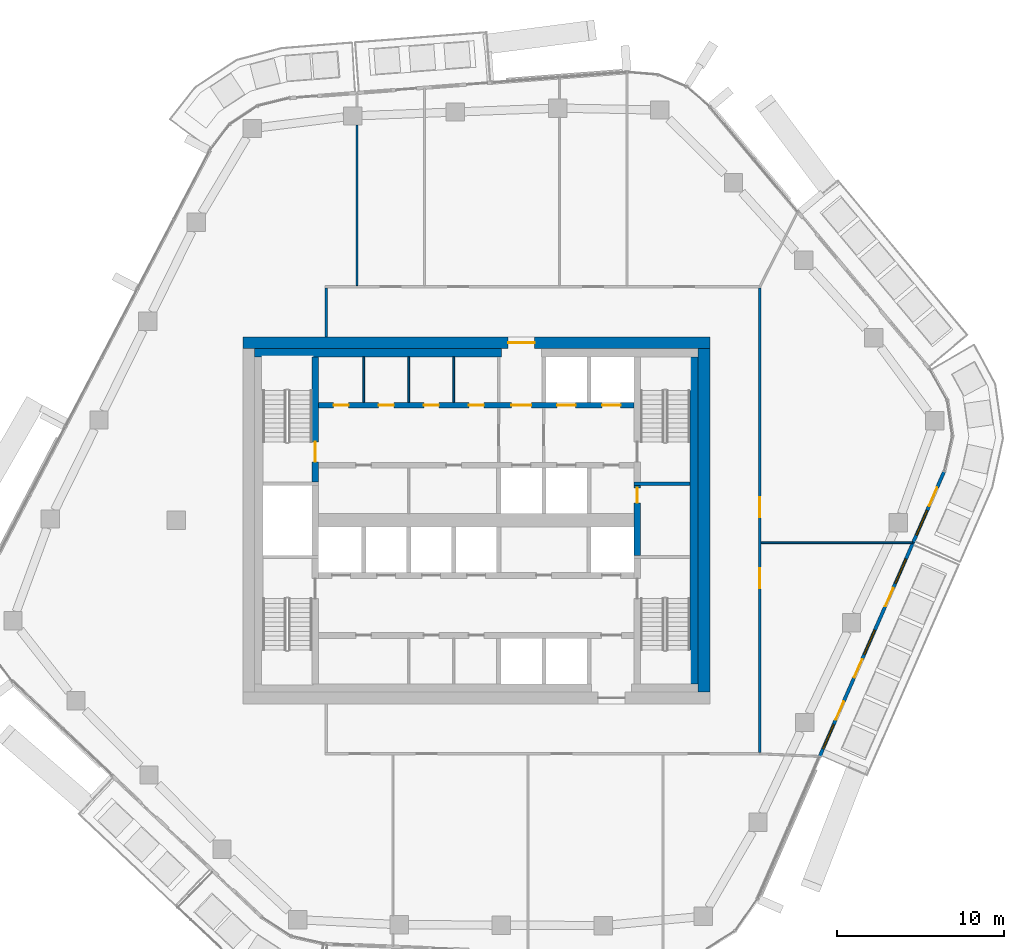
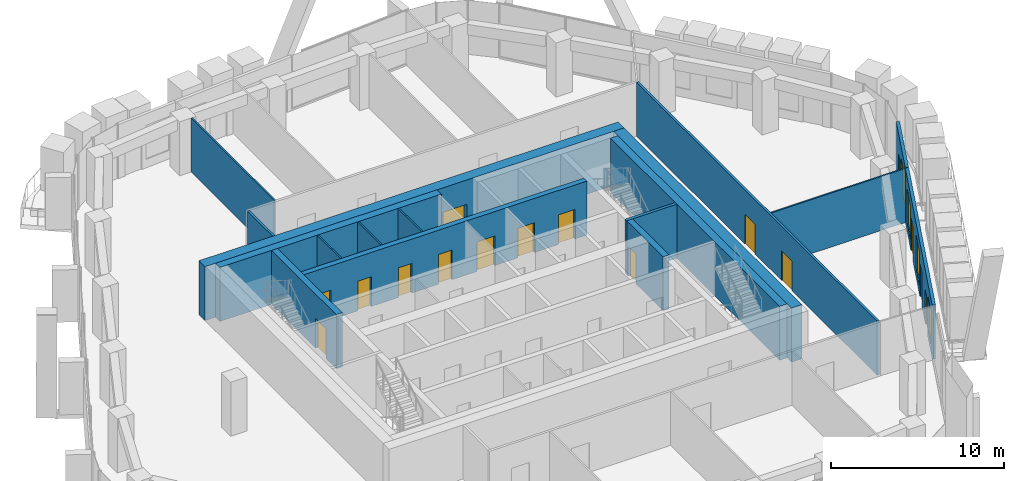
# One storey, part 12 of 20: 17 walls, 16 doors, 4 windows, 20 openings.
"""IFC4 building model written with IfcOpenShell, lengths in metres."""

from ifc_helpers import new_model, si_unit, direction, frame, frame_2d, origin, place, context, subcontext, project, spatial, rectangle, extrude, material, layer, layer_set, type_object, element, fill, save


model = new_model("IFC4")

# Units and contexts
model_context = context("Model", 3, precision=1e-05, world=origin(), true_north=direction((0.0, 1.0)))
body_context = subcontext(model_context, "Body", "Model", "MODEL_VIEW")
ifc_project = project(units=[si_unit("LENGTHUNIT", "METRE"), si_unit("AREAUNIT", "SQUARE_METRE"), si_unit("VOLUMEUNIT", "CUBIC_METRE"), si_unit("PLANEANGLEUNIT", "RADIAN"), si_unit("MASSUNIT", "GRAM", prefix="KILO")], contexts=[model_context])

# Site, building, storey
site_placement = place(None, origin())
site = spatial("IfcSite", under=ifc_project, at=site_placement, CompositionType="ELEMENT")
building_placement = place(site_placement, origin())
building = spatial("IfcBuilding", under=site, at=building_placement, Name="Dongbaek Canopy Tower", CompositionType="ELEMENT")
storey_placement = place(building_placement, frame((0.0, 0.0, 241.199951171875)))
storey = spatial("IfcBuildingStorey", under=building, at=storey_placement, Name="L50", CompositionType="ELEMENT", Elevation=241.199951171875)

# Wall, openings, doors
ifc_material_1 = material(Name="Concrete C60/75", Category="concrete")
ifc_layer_1 = layer(ifc_material_1, 0.35009765625)
ifc_layer_set_1 = layer_set([ifc_layer_1], Name="Core lobby wall 350 Concrete C60/75")
wall_type_1 = type_object("IfcWallType", Name="Core lobby wall 350 Concrete C60/75", PredefinedType="SHEAR", material=ifc_layer_set_1)
wall_1_placement = place(storey_placement, frame((-9.449951171875, 6.89990234375, 0.0), z_axis=(0.0, 0.0, 1.0), x_axis=(1.0, 0.0, 0.0)))
wall_1 = element("IfcWall", 1, at=wall_1_placement, inside=storey, type_object=wall_type_1, Name="Core wall", PredefinedType="SHEAR", context=body_context, shape_type="SweptSolid", body=[
    extrude(rectangle(XDim=18.89990234375, YDim=0.35009765625, at=frame_2d((9.449951171875, 0.0))), origin(), (0.0, 0.0, 1.0), 3.820068359375),
])
opening_1_placement = place(wall_1_placement, frame((11.550048828125, 0.0, 0.0)))
opening_1 = element("IfcOpeningElement", 2, at=opening_1_placement, cuts=wall_1, Name="Opening L50-D013", PredefinedType="OPENING", context=body_context, shape_type="SweptSolid", body=[
    extrude(rectangle(XDim=1.199951171875, YDim=2.10009765625, at=frame_2d((0.60009765625, 1.050048828125))), frame((0.0, 0.18505859375, 0.0), z_axis=(0.0, -1.0, 0.0), x_axis=(1.0, 0.0, 0.0)), (0.0, 0.0, 1.0), 0.3701171875),
])
opening_2_placement = place(wall_1_placement, frame((14.300048828125, 0.0, 0.0)))
opening_2 = element("IfcOpeningElement", 3, at=opening_2_placement, cuts=wall_1, Name="Opening L50-D014", PredefinedType="OPENING", context=body_context, shape_type="SweptSolid", body=[
    extrude(rectangle(XDim=1.10009765625, YDim=2.10009765625, at=frame_2d((0.550048828125, 1.050048828125))), frame((0.0, 0.18505859375, 0.0), z_axis=(0.0, -1.0, 0.0), x_axis=(1.0, 0.0, 0.0)), (0.0, 0.0, 1.0), 0.3701171875),
])
opening_3_placement = place(wall_1_placement, frame((17.0, 0.0, 0.0)))
opening_3 = element("IfcOpeningElement", 4, at=opening_3_placement, cuts=wall_1, Name="Opening L50-D015", PredefinedType="OPENING", context=body_context, shape_type="SweptSolid", body=[
    extrude(rectangle(XDim=1.10009765625, YDim=2.10009765625, at=frame_2d((0.550048828125, 1.050048828125))), frame((0.0, 0.18505859375, 0.0), z_axis=(0.0, -1.0, 0.0), x_axis=(1.0, 0.0, 0.0)), (0.0, 0.0, 1.0), 0.3701171875),
])
opening_4_placement = place(wall_1_placement, frame((0.89990234375, 0.0, 0.0)))
opening_4 = element("IfcOpeningElement", 5, at=opening_4_placement, cuts=wall_1, Name="Opening L50-D026", PredefinedType="OPENING", context=body_context, shape_type="SweptSolid", body=[
    extrude(rectangle(XDim=0.89990234375, YDim=2.10009765625, at=frame_2d((0.449951171875, 1.050048828125))), frame((0.0, 0.18505859375, 0.0), z_axis=(0.0, -1.0, 0.0), x_axis=(1.0, 0.0, 0.0)), (0.0, 0.0, 1.0), 0.3701171875),
])
opening_5_placement = place(wall_1_placement, frame((3.60009765625, 0.0, 0.0)))
opening_5 = element("IfcOpeningElement", 6, at=opening_5_placement, cuts=wall_1, Name="Opening L50-D027", PredefinedType="OPENING", context=body_context, shape_type="SweptSolid", body=[
    extrude(rectangle(XDim=0.89990234375, YDim=2.10009765625, at=frame_2d((0.449951171875, 1.050048828125))), frame((0.0, 0.18505859375, 0.0), z_axis=(0.0, -1.0, 0.0), x_axis=(1.0, 0.0, 0.0)), (0.0, 0.0, 1.0), 0.3701171875),
])
opening_6_placement = place(wall_1_placement, frame((6.300048828125, 0.0, 0.0)))
opening_6 = element("IfcOpeningElement", 7, at=opening_6_placement, cuts=wall_1, Name="Opening L50-D028", PredefinedType="OPENING", context=body_context, shape_type="SweptSolid", body=[
    extrude(rectangle(XDim=0.89990234375, YDim=2.10009765625, at=frame_2d((0.449951171875, 1.050048828125))), frame((0.0, 0.18505859375, 0.0), z_axis=(0.0, -1.0, 0.0), x_axis=(1.0, 0.0, 0.0)), (0.0, 0.0, 1.0), 0.3701171875),
])
opening_7_placement = place(wall_1_placement, frame((9.0, 0.0, 0.0)))
opening_7 = element("IfcOpeningElement", 8, at=opening_7_placement, cuts=wall_1, Name="Opening L50-D029", PredefinedType="OPENING", context=body_context, shape_type="SweptSolid", body=[
    extrude(rectangle(XDim=0.89990234375, YDim=2.10009765625, at=frame_2d((0.449951171875, 1.050048828125))), frame((0.0, 0.18505859375, 0.0), z_axis=(0.0, -1.0, 0.0), x_axis=(1.0, 0.0, 0.0)), (0.0, 0.0, 1.0), 0.3701171875),
])
ifc_material_2 = material(Name="Steel", Category="steel")
door_type_1 = type_object("IfcDoorType", Name="Core room door 900 x 2100", OperationType="SINGLE_SWING_LEFT", PredefinedType="DOOR", material=ifc_material_2)
door_1_placement = place(opening_4_placement, origin())
door_1 = element("IfcDoor", 9, at=door_1_placement, inside=storey, type_object=door_type_1, Name="Door L50-D026", OperationType="SINGLE_SWING_RIGHT", OverallHeight=2.10009765625, OverallWidth=0.89990234375, PredefinedType="DOOR", context=body_context, shape_type="SweptSolid", body=[
    extrude(rectangle(XDim=0.89990234375, YDim=2.10009765625, at=frame_2d((0.449951171875, 1.050048828125))), frame((0.0, 0.02490234375, 0.0), z_axis=(0.0, -1.0, 0.0), x_axis=(1.0, 0.0, 0.0)), (0.0, 0.0, 1.0), 0.050048828125),
])
fill(opening_4, door_1)
door_2_placement = place(opening_5_placement, origin())
door_2 = element("IfcDoor", 10, at=door_2_placement, inside=storey, type_object=door_type_1, Name="Door L50-D027", OperationType="SINGLE_SWING_LEFT", OverallHeight=2.10009765625, OverallWidth=0.89990234375, PredefinedType="DOOR", context=body_context, shape_type="SweptSolid", body=[
    extrude(rectangle(XDim=0.89990234375, YDim=2.10009765625, at=frame_2d((0.449951171875, 1.050048828125))), frame((0.0, 0.02490234375, 0.0), z_axis=(0.0, -1.0, 0.0), x_axis=(1.0, 0.0, 0.0)), (0.0, 0.0, 1.0), 0.050048828125),
])
fill(opening_5, door_2)
door_3_placement = place(opening_6_placement, origin())
door_3 = element("IfcDoor", 11, at=door_3_placement, inside=storey, type_object=door_type_1, Name="Door L50-D028", OperationType="SINGLE_SWING_RIGHT", OverallHeight=2.10009765625, OverallWidth=0.89990234375, PredefinedType="DOOR", context=body_context, shape_type="SweptSolid", body=[
    extrude(rectangle(XDim=0.89990234375, YDim=2.10009765625, at=frame_2d((0.449951171875, 1.050048828125))), frame((0.0, 0.02490234375, 0.0), z_axis=(0.0, -1.0, 0.0), x_axis=(1.0, 0.0, 0.0)), (0.0, 0.0, 1.0), 0.050048828125),
])
fill(opening_6, door_3)
door_4_placement = place(opening_7_placement, origin())
door_4 = element("IfcDoor", 12, at=door_4_placement, inside=storey, type_object=door_type_1, Name="Door L50-D029", OperationType="SINGLE_SWING_LEFT", OverallHeight=2.10009765625, OverallWidth=0.89990234375, PredefinedType="DOOR", context=body_context, shape_type="SweptSolid", body=[
    extrude(rectangle(XDim=0.89990234375, YDim=2.10009765625, at=frame_2d((0.449951171875, 1.050048828125))), frame((0.0, 0.02490234375, 0.0), z_axis=(0.0, -1.0, 0.0), x_axis=(1.0, 0.0, 0.0)), (0.0, 0.0, 1.0), 0.050048828125),
])
fill(opening_7, door_4)
ifc_material_3 = material(Name="Steel", Category="steel")
door_type_2 = type_object("IfcDoorType", Name="Fire lobby door 1200 x 2100", OperationType="SINGLE_SWING_LEFT", PredefinedType="DOOR", material=ifc_material_3)
door_5_placement = place(opening_1_placement, origin())
door_5 = element("IfcDoor", 13, at=door_5_placement, inside=storey, type_object=door_type_2, Name="Door L50-D013", OperationType="SINGLE_SWING_LEFT", OverallHeight=2.10009765625, OverallWidth=1.199951171875, PredefinedType="DOOR", context=body_context, shape_type="SweptSolid", body=[
    extrude(rectangle(XDim=1.199951171875, YDim=2.10009765625, at=frame_2d((0.60009765625, 1.050048828125))), frame((0.0, 0.02490234375, 0.0), z_axis=(0.0, -1.0, 0.0), x_axis=(1.0, 0.0, 0.0)), (0.0, 0.0, 1.0), 0.050048828125),
])
fill(opening_1, door_5)
ifc_material_4 = material(Name="Stainless steel", Category="steel")
door_type_3 = type_object("IfcDoorType", Name="Lift landing door 1100 x 2100", OperationType="DOUBLE_DOOR_SLIDING", PredefinedType="DOOR", material=ifc_material_4)
door_6_placement = place(opening_2_placement, origin())
door_6 = element("IfcDoor", 14, at=door_6_placement, inside=storey, type_object=door_type_3, Name="Landing door FF1", OperationType="DOUBLE_DOOR_SLIDING", OverallHeight=2.10009765625, OverallWidth=1.10009765625, PredefinedType="DOOR", context=body_context, shape_type="SweptSolid", body=[
    extrude(rectangle(XDim=1.10009765625, YDim=2.10009765625, at=frame_2d((0.550048828125, 1.050048828125))), frame((0.0, 0.02490234375, 0.0), z_axis=(0.0, -1.0, 0.0), x_axis=(1.0, 0.0, 0.0)), (0.0, 0.0, 1.0), 0.050048828125),
])
fill(opening_2, door_6)
door_7_placement = place(opening_3_placement, origin())
door_7 = element("IfcDoor", 15, at=door_7_placement, inside=storey, type_object=door_type_3, Name="Landing door FF2", OperationType="DOUBLE_DOOR_SLIDING", OverallHeight=2.10009765625, OverallWidth=1.10009765625, PredefinedType="DOOR", context=body_context, shape_type="SweptSolid", body=[
    extrude(rectangle(XDim=1.10009765625, YDim=2.10009765625, at=frame_2d((0.550048828125, 1.050048828125))), frame((0.0, 0.02490234375, 0.0), z_axis=(0.0, -1.0, 0.0), x_axis=(1.0, 0.0, 0.0)), (0.0, 0.0, 1.0), 0.050048828125),
])
fill(opening_3, door_7)

# Wall, opening, door
ifc_material_5 = material(Name="Concrete C70/85", Category="concrete")
ifc_layer_2 = layer(ifc_material_5, 0.699951171875)
ifc_layer_set_2 = layer_set([ifc_layer_2], Name="Core outer wall 700 Concrete C70/85")
wall_type_2 = type_object("IfcWallType", Name="Core outer wall 700 Concrete C70/85", PredefinedType="SHEAR", material=ifc_layer_set_2)
wall_2_placement = place(storey_placement, frame((-14.0, 10.64990234375, 0.0), z_axis=(0.0, 0.0, 1.0), x_axis=(1.0, 0.0, 0.0)))
wall_2 = element("IfcWall", 16, at=wall_2_placement, inside=storey, type_object=wall_type_2, Name="Core wall", PredefinedType="SHEAR", context=body_context, shape_type="SweptSolid", body=[
    extrude(rectangle(XDim=28.0, YDim=0.699951171875, at=frame_2d((14.0, 0.0))), origin(), (0.0, 0.0, 1.0), 3.820068359375),
])
opening_8_placement = place(wall_2_placement, frame((15.89990234375, 0.0, 0.0)))
opening_8 = element("IfcOpeningElement", 17, at=opening_8_placement, cuts=wall_2, Name="Opening L50-D012", PredefinedType="OPENING", context=body_context, shape_type="SweptSolid", body=[
    extrude(rectangle(XDim=1.60009765625, YDim=2.10009765625, at=frame_2d((0.800048828125, 1.050048828125))), frame((0.0, 0.35986328125, 0.0), z_axis=(0.0, -1.0, 0.0), x_axis=(1.0, 0.0, 0.0)), (0.0, 0.0, 1.0), 0.719970703125),
])
ifc_material_6 = material(Name="Steel", Category="steel")
door_type_4 = type_object("IfcDoorType", Name="Core exit door 1600 x 2100", OperationType="DOUBLE_DOOR_SINGLE_SWING", PredefinedType="DOOR", material=ifc_material_6)
door_8_placement = place(opening_8_placement, origin())
door_8 = element("IfcDoor", 18, at=door_8_placement, inside=storey, type_object=door_type_4, Name="Core exit door", OperationType="DOUBLE_DOOR_SINGLE_SWING", OverallHeight=2.10009765625, OverallWidth=1.60009765625, PredefinedType="DOOR", context=body_context, shape_type="SweptSolid", body=[
    extrude(rectangle(XDim=1.60009765625, YDim=2.10009765625, at=frame_2d((0.800048828125, 1.050048828125))), frame((0.0, 0.02490234375, 0.0), z_axis=(0.0, -1.0, 0.0), x_axis=(1.0, 0.0, 0.0)), (0.0, 0.0, 1.0), 0.050048828125),
])
fill(opening_8, door_8)

# Walls
wall_3_placement = place(storey_placement, frame((13.64990234375, 10.300048828125, 0.0), z_axis=(0.0, 0.0, 1.0), x_axis=(0.0, -1.0, 0.0)))
element("IfcWall", 19, at=wall_3_placement, inside=storey, type_object=wall_type_2, Name="Core wall", PredefinedType="SHEAR", context=body_context, shape_type="SweptSolid", body=[
    extrude(rectangle(XDim=20.60009765625, YDim=0.699951171875, at=frame_2d((10.300048828125, 0.0))), origin(), (0.0, 0.0, 1.0), 3.820068359375),
])
ifc_material_7 = material(Name="Concrete C60/75", Category="concrete")
ifc_layer_3 = layer(ifc_material_7, 0.5)
ifc_layer_set_3 = layer_set([ifc_layer_3], Name="Core wall lining 500 Concrete C60/75")
wall_type_3 = type_object("IfcWallType", Name="Core wall lining 500 Concrete C60/75", PredefinedType="SHEAR", material=ifc_layer_set_3)
wall_4_placement = place(storey_placement, frame((-13.300048828125, 10.050048828125, 0.0), z_axis=(0.0, 0.0, 1.0), x_axis=(1.0, 0.0, 0.0)))
element("IfcWall", 20, at=wall_4_placement, inside=storey, type_object=wall_type_3, Name="Core wall lining", PredefinedType="SHEAR", context=body_context, shape_type="SweptSolid", body=[
    extrude(rectangle(XDim=14.800048828125, YDim=0.5, at=frame_2d((7.39990234375, 0.0))), origin(), (0.0, 0.0, 1.0), 3.820068359375),
])
wall_5_placement = place(storey_placement, frame((13.050048828125, 9.800048828125, 0.0), z_axis=(0.0, 0.0, 1.0), x_axis=(0.0, -1.0, 0.0)))
element("IfcWall", 21, at=wall_5_placement, inside=storey, type_object=wall_type_3, Name="Core wall lining", PredefinedType="SHEAR", context=body_context, shape_type="SweptSolid", body=[
    extrude(rectangle(XDim=19.60009765625, YDim=0.5, at=frame_2d((9.800048828125, 0.0))), origin(), (0.0, 0.0, 1.0), 3.820068359375),
])

# Wall, openings, doors
ifc_material_8 = material(Name="Gypsum board partition, steel stud, 2 x 15 mm fire board", Category="steel")
ifc_layer_4 = layer(ifc_material_8, 0.14990234375)
ifc_layer_set_4 = layer_set([ifc_layer_4], Name="Fire-rated partition 150 gypsum board")
wall_type_4 = type_object("IfcWallType", Name="Fire-rated partition 150 gypsum board", PredefinedType="PARTITIONING", material=ifc_layer_set_4)
wall_6_placement = place(storey_placement, frame((17.0, 13.925048828125, 0.0), z_axis=(0.0, 0.0, 1.0), x_axis=(0.0, -1.0, 0.0)))
wall_6 = element("IfcWall", 22, at=wall_6_placement, inside=storey, type_object=wall_type_4, Name="Corridor partition", PredefinedType="PARTITIONING", context=body_context, shape_type="SweptSolid", body=[
    extrude(rectangle(XDim=27.85009765625, YDim=0.14990234375, at=frame_2d((13.925048828125, 0.0))), origin(), (0.0, 0.0, 1.0), 3.820068359375),
])
opening_9_placement = place(wall_6_placement, frame((16.8017578125, 0.0, 0.0)))
opening_9 = element("IfcOpeningElement", 23, at=opening_9_placement, cuts=wall_6, Name="Opening L50-D005", PredefinedType="OPENING", context=body_context, shape_type="SweptSolid", body=[
    extrude(rectangle(XDim=1.199951171875, YDim=2.10009765625, at=frame_2d((0.60009765625, 1.050048828125))), frame((0.0, 0.0849609375, 0.0), z_axis=(0.0, -1.0, 0.0), x_axis=(1.0, 0.0, 0.0)), (0.0, 0.0, 1.0), 0.169921875),
])
opening_10_placement = place(wall_6_placement, frame((12.53369140625, 0.0, 0.0)))
opening_10 = element("IfcOpeningElement", 24, at=opening_10_placement, cuts=wall_6, Name="Opening L50-D006", PredefinedType="OPENING", context=body_context, shape_type="SweptSolid", body=[
    extrude(rectangle(XDim=1.199951171875, YDim=2.10009765625, at=frame_2d((0.60009765625, 1.050048828125))), frame((0.0, 0.0849609375, 0.0), z_axis=(0.0, -1.0, 0.0), x_axis=(1.0, 0.0, 0.0)), (0.0, 0.0, 1.0), 0.169921875),
])
ifc_material_9 = material(Name="Timber veneered door leaf", Category="wood")
door_type_5 = type_object("IfcDoorType", Name="Room door 1200 x 2100", OperationType="SINGLE_SWING_LEFT", PredefinedType="DOOR", material=ifc_material_9)
door_9_placement = place(opening_9_placement, origin())
door_9 = element("IfcDoor", 25, at=door_9_placement, inside=storey, type_object=door_type_5, Name="Door L50-D005", OperationType="SINGLE_SWING_RIGHT", OverallHeight=2.10009765625, OverallWidth=1.199951171875, PredefinedType="DOOR", context=body_context, shape_type="SweptSolid", body=[
    extrude(rectangle(XDim=1.199951171875, YDim=2.10009765625, at=frame_2d((0.60009765625, 1.050048828125))), frame((0.0, 0.02490234375, 0.0), z_axis=(0.0, -1.0, 0.0), x_axis=(1.0, 0.0, 0.0)), (0.0, 0.0, 1.0), 0.050048828125),
])
fill(opening_9, door_9)
door_10_placement = place(opening_10_placement, origin())
door_10 = element("IfcDoor", 26, at=door_10_placement, inside=storey, type_object=door_type_5, Name="Door L50-D006", OperationType="SINGLE_SWING_LEFT", OverallHeight=2.10009765625, OverallWidth=1.199951171875, PredefinedType="DOOR", context=body_context, shape_type="SweptSolid", body=[
    extrude(rectangle(XDim=1.199951171875, YDim=2.10009765625, at=frame_2d((0.60009765625, 1.050048828125))), frame((0.0, 0.02490234375, 0.0), z_axis=(0.0, -1.0, 0.0), x_axis=(1.0, 0.0, 0.0)), (0.0, 0.0, 1.0), 0.050048828125),
])
fill(opening_10, door_10)

# Walls
wall_7_placement = place(storey_placement, frame((-9.0, 11.0, 0.0), z_axis=(0.0, 0.0, 1.0), x_axis=(0.0, 1.0, 0.0)))
element("IfcWall", 27, at=wall_7_placement, inside=storey, type_object=wall_type_4, Name="Corridor partition", PredefinedType="PARTITIONING", context=body_context, shape_type="SweptSolid", body=[
    extrude(rectangle(XDim=2.925048828125, YDim=0.14990234375, at=frame_2d((1.46240234375, 0.0))), origin(), (0.0, 0.0, 1.0), 3.820068359375),
])
ifc_material_10 = material(Name="Gypsum board partition, steel stud, 2 x 12.5 mm board", Category="steel")
ifc_layer_5 = layer(ifc_material_10, 0.10009765625)
ifc_layer_set_5 = layer_set([ifc_layer_5], Name="Partition 100 gypsum board")
wall_type_5 = type_object("IfcWallType", Name="Partition 100 gypsum board", PredefinedType="PARTITIONING", material=ifc_layer_set_5)
wall_8_placement = place(storey_placement, frame((17.074951171875, -1.341064453125, 0.0), z_axis=(0.0, 0.0, 1.0), x_axis=(1.0, 0.0, 0.0)))
element("IfcWall", 28, at=wall_8_placement, inside=storey, type_object=wall_type_5, Name="Partition", PredefinedType="PARTITIONING", context=body_context, shape_type="SweptSolid", body=[
    extrude(rectangle(XDim=9.090087890625, YDim=0.10009765625, at=frame_2d((4.544921875, 0.0))), origin(), (0.0, 0.0, 1.0), 3.820068359375),
])
wall_9_placement = place(storey_placement, frame((-7.153076171875, 14.074951171875, 0.0), z_axis=(0.0, 0.0, 1.0), x_axis=(0.0, 1.0, 0.0)))
element("IfcWall", 29, at=wall_9_placement, inside=storey, type_object=wall_type_5, Name="Partition", PredefinedType="PARTITIONING", context=body_context, shape_type="SweptSolid", body=[
    extrude(rectangle(XDim=9.6181640625, YDim=0.10009765625, at=frame_2d((4.80908203125, 0.0))), origin(), (0.0, 0.0, 1.0), 3.820068359375),
])
for number, where, z_axis, x_axis, name in (
    (30, (-1.35009765625, 7.074951171875, 0.0), (0.0, 0.0, 1.0), (0.0, 1.0, 0.0), "Core partition"),
    (31, (-4.050048828125, 7.074951171875, 0.0), (0.0, 0.0, 1.0), (0.0, 1.0, 0.0), "Core partition"),
    (32, (-6.75, 7.074951171875, 0.0), (0.0, 0.0, 1.0), (0.0, 1.0, 0.0), "Core partition"),
):
    element("IfcWall", number, at=place(storey_placement, frame(where, z_axis=z_axis, x_axis=x_axis)), inside=storey, type_object=wall_type_5, Name=name, PredefinedType="PARTITIONING", context=body_context, shape_type="SweptSolid", body=[
        extrude(rectangle(XDim=2.72509765625, YDim=0.10009765625, at=frame_2d((1.362548828125, 0.0))), origin(), (0.0, 0.0, 1.0), 3.820068359375),
    ])
ifc_material_11 = material(Name="Concrete C60/75", Category="concrete")
ifc_layer_6 = layer(ifc_material_11, 0.199951171875)
ifc_layer_set_6 = layer_set([ifc_layer_6], Name="Riser wall 200 Concrete C60/75")
wall_type_6 = type_object("IfcWallType", Name="Riser wall 200 Concrete C60/75", PredefinedType="SHEAR", material=ifc_layer_set_6)
wall_10_placement = place(storey_placement, frame((9.449951171875, 2.199951171875, 0.0), z_axis=(0.0, 0.0, 1.0), x_axis=(1.0, 0.0, 0.0)))
element("IfcWall", 33, at=wall_10_placement, inside=storey, type_object=wall_type_6, Name="Riser wall", PredefinedType="SHEAR", context=body_context, shape_type="SweptSolid", body=[
    extrude(rectangle(XDim=3.35009765625, YDim=0.199951171875, at=frame_2d((1.675048828125, 0.0))), origin(), (0.0, 0.0, 1.0), 3.820068359375),
])

# Wall, opening, door
ifc_material_12 = material(Name="Concrete C60/75", Category="concrete")
ifc_layer_7 = layer(ifc_material_12, 0.39990234375)
ifc_layer_set_7 = layer_set([ifc_layer_7], Name="Stair wall 400 Concrete C60/75")
wall_type_7 = type_object("IfcWallType", Name="Stair wall 400 Concrete C60/75", PredefinedType="SHEAR", material=ifc_layer_set_7)
wall_11_placement = place(storey_placement, frame((9.64990234375, 2.10009765625, 0.0), z_axis=(0.0, 0.0, 1.0), x_axis=(0.0, -1.0, 0.0)))
wall_11 = element("IfcWall", 34, at=wall_11_placement, inside=storey, type_object=wall_type_7, Name="Stair wall", PredefinedType="SHEAR", context=body_context, shape_type="SweptSolid", body=[
    extrude(rectangle(XDim=4.2001953125, YDim=0.39990234375, at=frame_2d((2.10009765625, 0.0))), origin(), (0.0, 0.0, 1.0), 3.820068359375),
])
opening_11_placement = place(wall_11_placement, frame((0.14990234375, 0.0, 0.0)))
opening_11 = element("IfcOpeningElement", 35, at=opening_11_placement, cuts=wall_11, Name="Opening L50-D011", PredefinedType="OPENING", context=body_context, shape_type="SweptSolid", body=[
    extrude(rectangle(XDim=0.89990234375, YDim=2.10009765625, at=frame_2d((0.449951171875, 1.050048828125))), frame((0.0, 0.2099609375, 0.0), z_axis=(0.0, -1.0, 0.0), x_axis=(1.0, 0.0, 0.0)), (0.0, 0.0, 1.0), 0.419921875),
])
door_11_placement = place(opening_11_placement, origin())
door_11 = element("IfcDoor", 36, at=door_11_placement, inside=storey, type_object=door_type_1, Name="Door L50-D011", OperationType="SINGLE_SWING_RIGHT", OverallHeight=2.10009765625, OverallWidth=0.89990234375, PredefinedType="DOOR", context=body_context, shape_type="SweptSolid", body=[
    extrude(rectangle(XDim=0.89990234375, YDim=2.10009765625, at=frame_2d((0.449951171875, 1.050048828125))), frame((0.0, 0.02490234375, 0.0), z_axis=(0.0, -1.0, 0.0), x_axis=(1.0, 0.0, 0.0)), (0.0, 0.0, 1.0), 0.050048828125),
])
fill(opening_11, door_11)

wall_12_placement = place(storey_placement, frame((-9.64990234375, 2.300048828125, 0.0), z_axis=(0.0, 0.0, 1.0), x_axis=(0.0, 1.0, 0.0)))
wall_12 = element("IfcWall", 37, at=wall_12_placement, inside=storey, type_object=wall_type_7, Name="Stair wall", PredefinedType="SHEAR", context=body_context, shape_type="SweptSolid", body=[
    extrude(rectangle(XDim=7.5, YDim=0.39990234375, at=frame_2d((3.75, 0.0))), origin(), (0.0, 0.0, 1.0), 3.820068359375),
])
opening_12_placement = place(wall_12_placement, frame((1.199951171875, 0.0, 0.0)))
opening_12 = element("IfcOpeningElement", 38, at=opening_12_placement, cuts=wall_12, Name="Opening L50-D037", PredefinedType="OPENING", context=body_context, shape_type="SweptSolid", body=[
    extrude(rectangle(XDim=1.199951171875, YDim=2.10009765625, at=frame_2d((0.60009765625, 1.050048828125))), frame((0.0, 0.2099609375, 0.0), z_axis=(0.0, -1.0, 0.0), x_axis=(1.0, 0.0, 0.0)), (0.0, 0.0, 1.0), 0.419921875),
])
ifc_material_13 = material(Name="Steel", Category="steel")
door_type_6 = type_object("IfcDoorType", Name="Stair door 1200 x 2100", OperationType="SINGLE_SWING_LEFT", PredefinedType="DOOR", material=ifc_material_13)
door_12_placement = place(opening_12_placement, origin())
door_12 = element("IfcDoor", 39, at=door_12_placement, inside=storey, type_object=door_type_6, Name="Stair C door", OperationType="SINGLE_SWING_RIGHT", OverallHeight=2.10009765625, OverallWidth=1.199951171875, PredefinedType="DOOR", context=body_context, shape_type="SweptSolid", body=[
    extrude(rectangle(XDim=1.199951171875, YDim=2.10009765625, at=frame_2d((0.60009765625, 1.050048828125))), frame((0.0, 0.02490234375, 0.0), z_axis=(0.0, -1.0, 0.0), x_axis=(1.0, 0.0, 0.0)), (0.0, 0.0, 1.0), 0.050048828125),
])
fill(opening_12, door_12)

# Wall, openings, doors, windows
ifc_material_14 = material(Name="Aluminium window wall", Category="aluminium")
ifc_layer_8 = layer(ifc_material_14, 0.199951171875)
ifc_layer_set_8 = layer_set([ifc_layer_8], Name="Window wall 200")
wall_type_8 = type_object("IfcWallType", Name="Window wall 200", PredefinedType="SOLIDWALL", material=ifc_layer_set_8)
wall_13_placement = place(storey_placement, frame((20.588134765625, -14.15771484375, 0.0), z_axis=(0.0, 0.0, 1.0), x_axis=(0.400286749381, 0.916389937892, 0.0)))
wall_13 = element("IfcWall", 40, at=wall_13_placement, inside=storey, type_object=wall_type_8, Name="Window wall L50 5", PredefinedType="SOLIDWALL", context=body_context, shape_type="SweptSolid", body=[
    extrude(rectangle(XDim=13.986572265625, YDim=0.199951171875, at=frame_2d((6.9931640625, 0.0))), origin(), (0.0, 0.0, 1.0), 3.820068359375),
])
opening_13_placement = place(wall_13_placement, frame((0.5, 0.0, 0.60009765625)))
opening_13 = element("IfcOpeningElement", 41, at=opening_13_placement, cuts=wall_13, Name="Opening W1", PredefinedType="OPENING", context=body_context, shape_type="SweptSolid", body=[
    extrude(rectangle(XDim=1.60009765625, YDim=2.39990234375, at=frame_2d((0.800048828125, 1.199951171875))), frame((0.0, 0.10986328125, 0.0), z_axis=(0.0, -1.0, 0.0), x_axis=(1.0, 0.0, 0.0)), (0.0, 0.0, 1.0), 0.219970703125),
])
opening_14_placement = place(wall_13_placement, frame((2.39990234375, 0.0, 0.0)))
opening_14 = element("IfcOpeningElement", 42, at=opening_14_placement, cuts=wall_13, Name="Opening L50-B13", PredefinedType="OPENING", context=body_context, shape_type="SweptSolid", body=[
    extrude(rectangle(XDim=1.199951171875, YDim=2.39990234375, at=frame_2d((0.60009765625, 1.199951171875))), frame((0.0, 0.10986328125, 0.0), z_axis=(0.0, -1.0, 0.0), x_axis=(1.0, 0.0, 0.0)), (0.0, 0.0, 1.0), 0.219970703125),
])
opening_15_placement = place(wall_13_placement, frame((6.662109375, 0.0, 0.60009765625)))
opening_15 = element("IfcOpeningElement", 43, at=opening_15_placement, cuts=wall_13, Name="Opening W1", PredefinedType="OPENING", context=body_context, shape_type="SweptSolid", body=[
    extrude(rectangle(XDim=1.60009765625, YDim=2.39990234375, at=frame_2d((0.800048828125, 1.199951171875))), frame((0.0, 0.10986328125, 0.0), z_axis=(0.0, -1.0, 0.0), x_axis=(1.0, 0.0, 0.0)), (0.0, 0.0, 1.0), 0.219970703125),
])
opening_16_placement = place(wall_13_placement, frame((5.162109375, 0.0, 0.0)))
opening_16 = element("IfcOpeningElement", 44, at=opening_16_placement, cuts=wall_13, Name="Opening L50-B14", PredefinedType="OPENING", context=body_context, shape_type="SweptSolid", body=[
    extrude(rectangle(XDim=1.199951171875, YDim=2.39990234375, at=frame_2d((0.60009765625, 1.199951171875))), frame((0.0, 0.10986328125, 0.0), z_axis=(0.0, -1.0, 0.0), x_axis=(1.0, 0.0, 0.0)), (0.0, 0.0, 1.0), 0.219970703125),
])
opening_17_placement = place(wall_13_placement, frame((11.324462890625, 0.0, 0.60009765625)))
opening_17 = element("IfcOpeningElement", 45, at=opening_17_placement, cuts=wall_13, Name="Opening W1", PredefinedType="OPENING", context=body_context, shape_type="SweptSolid", body=[
    extrude(rectangle(XDim=1.60009765625, YDim=2.39990234375, at=frame_2d((0.800048828125, 1.199951171875))), frame((0.0, 0.10986328125, 0.0), z_axis=(0.0, -1.0, 0.0), x_axis=(1.0, 0.0, 0.0)), (0.0, 0.0, 1.0), 0.219970703125),
])
opening_18_placement = place(wall_13_placement, frame((9.824462890625, 0.0, 0.0)))
opening_18 = element("IfcOpeningElement", 46, at=opening_18_placement, cuts=wall_13, Name="Opening L50-B15", PredefinedType="OPENING", context=body_context, shape_type="SweptSolid", body=[
    extrude(rectangle(XDim=1.199951171875, YDim=2.39990234375, at=frame_2d((0.60009765625, 1.199951171875))), frame((0.0, 0.10986328125, 0.0), z_axis=(0.0, -1.0, 0.0), x_axis=(1.0, 0.0, 0.0)), (0.0, 0.0, 1.0), 0.219970703125),
])
ifc_material_15 = material(Name="Clear glazing in aluminium frame", Category="aluminium")
door_type_7 = type_object("IfcDoorType", Name="Balcony door BD1 1200 x 2400", OperationType="SLIDING_TO_LEFT", PredefinedType="DOOR", material=ifc_material_15)
door_13_placement = place(opening_14_placement, origin())
door_13 = element("IfcDoor", 47, at=door_13_placement, inside=storey, type_object=door_type_7, Name="Balcony door L50-B13", OperationType="SLIDING_TO_LEFT", OverallHeight=2.39990234375, OverallWidth=1.199951171875, PredefinedType="DOOR", context=body_context, shape_type="SweptSolid", body=[
    extrude(rectangle(XDim=1.199951171875, YDim=2.39990234375, at=frame_2d((0.60009765625, 1.199951171875))), frame((0.0, 0.02490234375, 0.0), z_axis=(0.0, -1.0, 0.0), x_axis=(1.0, 0.0, 0.0)), (0.0, 0.0, 1.0), 0.050048828125),
])
fill(opening_14, door_13)
door_14_placement = place(opening_16_placement, origin())
door_14 = element("IfcDoor", 48, at=door_14_placement, inside=storey, type_object=door_type_7, Name="Balcony door L50-B14", OperationType="SLIDING_TO_LEFT", OverallHeight=2.39990234375, OverallWidth=1.199951171875, PredefinedType="DOOR", context=body_context, shape_type="SweptSolid", body=[
    extrude(rectangle(XDim=1.199951171875, YDim=2.39990234375, at=frame_2d((0.60009765625, 1.199951171875))), frame((0.0, 0.02490234375, 0.0), z_axis=(0.0, -1.0, 0.0), x_axis=(1.0, 0.0, 0.0)), (0.0, 0.0, 1.0), 0.050048828125),
])
fill(opening_16, door_14)
door_15_placement = place(opening_18_placement, origin())
door_15 = element("IfcDoor", 49, at=door_15_placement, inside=storey, type_object=door_type_7, Name="Balcony door L50-B15", OperationType="SLIDING_TO_LEFT", OverallHeight=2.39990234375, OverallWidth=1.199951171875, PredefinedType="DOOR", context=body_context, shape_type="SweptSolid", body=[
    extrude(rectangle(XDim=1.199951171875, YDim=2.39990234375, at=frame_2d((0.60009765625, 1.199951171875))), frame((0.0, 0.02490234375, 0.0), z_axis=(0.0, -1.0, 0.0), x_axis=(1.0, 0.0, 0.0)), (0.0, 0.0, 1.0), 0.050048828125),
])
fill(opening_18, door_15)
ifc_material_16 = material(Name="Clear glazing in aluminium frame", Category="aluminium")
window_type = type_object("IfcWindowType", Name="Window W1 1600 x 2400", PartitioningType="SINGLE_PANEL", PredefinedType="WINDOW", material=ifc_material_16)
window_1_placement = place(opening_13_placement, origin())
window_1 = element("IfcWindow", 50, at=window_1_placement, inside=storey, type_object=window_type, Name="Window L50 5.1", OverallHeight=2.39990234375, OverallWidth=1.60009765625, PartitioningType="SINGLE_PANEL", PredefinedType="WINDOW", context=body_context, shape_type="SweptSolid", body=[
    extrude(rectangle(XDim=1.60009765625, YDim=2.39990234375, at=frame_2d((0.800048828125, 1.199951171875))), frame((0.0, 0.030029296875, 0.0), z_axis=(0.0, -1.0, 0.0), x_axis=(1.0, 0.0, 0.0)), (0.0, 0.0, 1.0), 0.06005859375),
])
fill(opening_13, window_1)
window_2_placement = place(opening_15_placement, origin())
window_2 = element("IfcWindow", 51, at=window_2_placement, inside=storey, type_object=window_type, Name="Window L50 5.2", OverallHeight=2.39990234375, OverallWidth=1.60009765625, PartitioningType="SINGLE_PANEL", PredefinedType="WINDOW", context=body_context, shape_type="SweptSolid", body=[
    extrude(rectangle(XDim=1.60009765625, YDim=2.39990234375, at=frame_2d((0.800048828125, 1.199951171875))), frame((0.0, 0.030029296875, 0.0), z_axis=(0.0, -1.0, 0.0), x_axis=(1.0, 0.0, 0.0)), (0.0, 0.0, 1.0), 0.06005859375),
])
fill(opening_15, window_2)
window_3_placement = place(opening_17_placement, origin())
window_3 = element("IfcWindow", 52, at=window_3_placement, inside=storey, type_object=window_type, Name="Window L50 5.3", OverallHeight=2.39990234375, OverallWidth=1.60009765625, PartitioningType="SINGLE_PANEL", PredefinedType="WINDOW", context=body_context, shape_type="SweptSolid", body=[
    extrude(rectangle(XDim=1.60009765625, YDim=2.39990234375, at=frame_2d((0.800048828125, 1.199951171875))), frame((0.0, 0.030029296875, 0.0), z_axis=(0.0, -1.0, 0.0), x_axis=(1.0, 0.0, 0.0)), (0.0, 0.0, 1.0), 0.06005859375),
])
fill(opening_17, window_3)

# Wall, openings, door, window
wall_14_placement = place(storey_placement, frame((26.186767578125, -1.340576171875, 0.0), z_axis=(0.0, 0.0, 1.0), x_axis=(0.400293036608, 0.916387191553, 0.0)))
wall_14 = element("IfcWall", 53, at=wall_14_placement, inside=storey, type_object=wall_type_8, Name="Window wall L50 6", PredefinedType="SOLIDWALL", context=body_context, shape_type="SweptSolid", body=[
    extrude(rectangle(XDim=4.653076171875, YDim=0.199951171875, at=frame_2d((2.32666015625, 0.0))), origin(), (0.0, 0.0, 1.0), 3.820068359375),
])
opening_19_placement = place(wall_14_placement, frame((0.5, 0.0, 0.60009765625)))
opening_19 = element("IfcOpeningElement", 54, at=opening_19_placement, cuts=wall_14, Name="Opening W1", PredefinedType="OPENING", context=body_context, shape_type="SweptSolid", body=[
    extrude(rectangle(XDim=1.60009765625, YDim=2.39990234375, at=frame_2d((0.800048828125, 1.199951171875))), frame((0.0, 0.10986328125, 0.0), z_axis=(0.0, -1.0, 0.0), x_axis=(1.0, 0.0, 0.0)), (0.0, 0.0, 1.0), 0.219970703125),
])
opening_20_placement = place(wall_14_placement, frame((2.39990234375, 0.0, 0.0)))
opening_20 = element("IfcOpeningElement", 55, at=opening_20_placement, cuts=wall_14, Name="Opening L50-B16", PredefinedType="OPENING", context=body_context, shape_type="SweptSolid", body=[
    extrude(rectangle(XDim=1.199951171875, YDim=2.39990234375, at=frame_2d((0.60009765625, 1.199951171875))), frame((0.0, 0.10986328125, 0.0), z_axis=(0.0, -1.0, 0.0), x_axis=(1.0, 0.0, 0.0)), (0.0, 0.0, 1.0), 0.219970703125),
])
door_16_placement = place(opening_20_placement, origin())
door_16 = element("IfcDoor", 56, at=door_16_placement, inside=storey, type_object=door_type_7, Name="Balcony door L50-B16", OperationType="SLIDING_TO_LEFT", OverallHeight=2.39990234375, OverallWidth=1.199951171875, PredefinedType="DOOR", context=body_context, shape_type="SweptSolid", body=[
    extrude(rectangle(XDim=1.199951171875, YDim=2.39990234375, at=frame_2d((0.60009765625, 1.199951171875))), frame((0.0, 0.02490234375, 0.0), z_axis=(0.0, -1.0, 0.0), x_axis=(1.0, 0.0, 0.0)), (0.0, 0.0, 1.0), 0.050048828125),
])
fill(opening_20, door_16)
window_4_placement = place(opening_19_placement, origin())
window_4 = element("IfcWindow", 57, at=window_4_placement, inside=storey, type_object=window_type, Name="Window L50 6.1", OverallHeight=2.39990234375, OverallWidth=1.60009765625, PartitioningType="SINGLE_PANEL", PredefinedType="WINDOW", context=body_context, shape_type="SweptSolid", body=[
    extrude(rectangle(XDim=1.60009765625, YDim=2.39990234375, at=frame_2d((0.800048828125, 1.199951171875))), frame((0.0, 0.030029296875, 0.0), z_axis=(0.0, -1.0, 0.0), x_axis=(1.0, 0.0, 0.0)), (0.0, 0.0, 1.0), 0.06005859375),
])
fill(opening_19, window_4)

save(model, "model.ifc")
